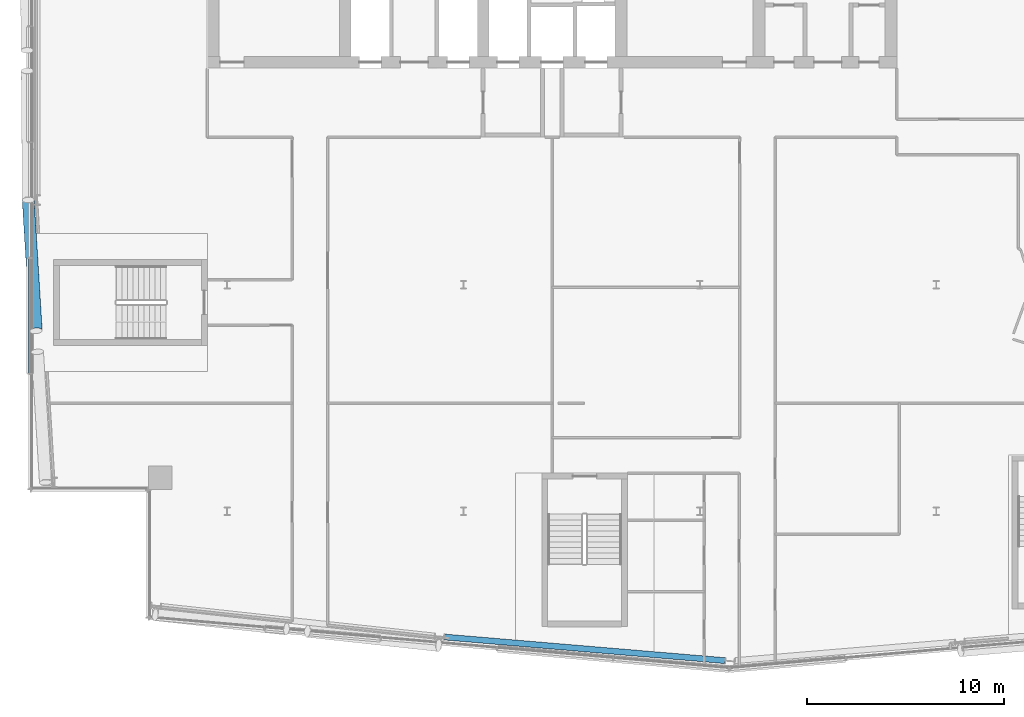
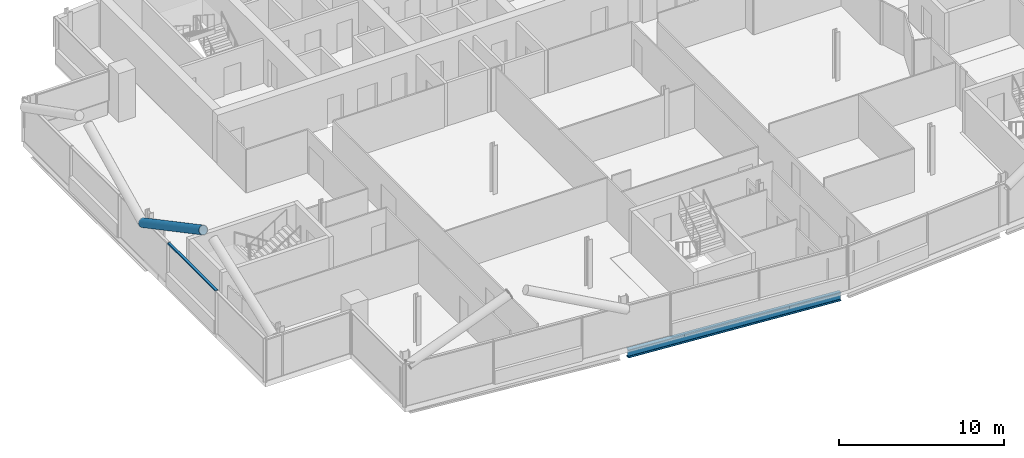
# One storey, part 6 of 28: 2 members, 1 beam, 1 element without a shape of its own.
"""IFC4 building model written with IfcOpenShell, lengths in metres."""

import ifcopenshell
import ifcopenshell.guid

model = None  # the IFC model being written
_history = None  # IfcOwnerHistory: only IFC2X3 demands one
_inside = {}  # id of a spatial element -> (the spatial element, [elements in it])
_under = {}  # id of a project, library or spatial element -> (it, [spatial elements below it])
_declared = {}  # id of a project -> (the project, [libraries it declares])
_typed = {}  # id of a type object -> (the type object, [elements of that type])
_made_of = {}  # id of a material, layer set ... -> (it, [elements and type objects made of it])


def new_model(schema):
    """Start an empty IFC model of exactly this schema.

    Asked for "IFC4X3", IfcOpenShell would pick the latest addendum, in which some entities
    have other attributes; the version numbers below select the first issue.
    IFC2X3 requires an IfcOwnerHistory on every rooted entity: one is made here for all.
    """
    global model, _history
    if schema == "IFC4X3":
        model = ifcopenshell.file(schema_version=(4, 3, 0, 0))
    else:
        model = ifcopenshell.file(schema=schema)
    _inside.clear()
    _under.clear()
    _declared.clear()
    _typed.clear()
    _made_of.clear()
    _history = None
    if model.schema == "IFC2X3":
        org = make("IfcOrganization", Name="unknown")
        user = make(
            "IfcPersonAndOrganization",
            ThePerson=make("IfcPerson", FamilyName="unknown"),
            TheOrganization=org,
        )
        app = make(
            "IfcApplication",
            ApplicationDeveloper=org,
            Version="unknown",
            ApplicationFullName="unknown",
            ApplicationIdentifier="unknown",
        )
        _history = make(
            "IfcOwnerHistory",
            OwningUser=user,
            OwningApplication=app,
            ChangeAction="ADDED",
            CreationDate=0,
        )
    return model


def make(cls, **values):
    """One entity of the class cls with the attributes given. An attribute that is None is left unset."""
    return model.create_entity(
        cls, **{name: value for name, value in values.items() if value is not None}
    )


def rooted(cls, **values):
    """An entity with a GlobalId (a new one), such as an element, a storey or a relation."""
    return make(cls, GlobalId=ifcopenshell.guid.new(), OwnerHistory=_history, **values)


def si_unit(unit_type, name, prefix=None):
    """IfcSIUnit, for example si_unit("LENGTHUNIT", "METRE", prefix="MILLI")."""
    return make("IfcSIUnit", UnitType=unit_type, Prefix=prefix, Name=name)


def assignment(units):
    """IfcUnitAssignment: the units of a project."""
    return None if units is None else make("IfcUnitAssignment", Units=units)


def point(xyz):
    """IfcCartesianPoint."""
    return None if xyz is None else make("IfcCartesianPoint", Coordinates=xyz)


def direction(xyz):
    """IfcDirection."""
    return None if xyz is None else make("IfcDirection", DirectionRatios=xyz)


def frame(location, z_axis=None, x_axis=None):
    """IfcAxis2Placement3D, a coordinate frame: its origin and axes. An axis left out is left unset."""
    return make(
        "IfcAxis2Placement3D",
        Location=point(location),
        Axis=direction(z_axis),
        RefDirection=direction(x_axis),
    )


def frame_2d(location, x_axis=None):
    """IfcAxis2Placement2D, a coordinate frame in the plane: its origin and x axis."""
    return make(
        "IfcAxis2Placement2D", Location=point(location), RefDirection=direction(x_axis)
    )


def origin():
    """The frame at (0, 0, 0) with its axes left unset."""
    return frame((0.0, 0.0, 0.0))


def origin_2d():
    """The frame at (0, 0) in the plane with its x axis left unset."""
    return frame_2d((0.0, 0.0))


def place(relative_to, where):
    """IfcLocalPlacement: puts the frame where relative to a parent placement (None: the world)."""
    return make(
        "IfcLocalPlacement", PlacementRelTo=relative_to, RelativePlacement=where
    )


def context(
    kind, dimensions, precision=None, world=None, true_north=None, identifier=None
):
    """IfcGeometricRepresentationContext, for example the 3D "Model" context."""
    return make(
        "IfcGeometricRepresentationContext",
        ContextIdentifier=identifier,
        ContextType=kind,
        CoordinateSpaceDimension=dimensions,
        Precision=precision,
        WorldCoordinateSystem=world,
        TrueNorth=true_north,
    )


def subcontext(parent, identifier, kind, view, scale=None):
    """IfcGeometricRepresentationSubContext, for example "Body" below "Model"."""
    return make(
        "IfcGeometricRepresentationSubContext",
        ContextIdentifier=identifier,
        ContextType=kind,
        ParentContext=parent,
        TargetScale=scale,
        TargetView=view,
    )


def project(units=None, contexts=None):
    """IfcProject with its units and contexts."""
    return rooted(
        "IfcProject",
        Name="project",
        RepresentationContexts=contexts,
        UnitsInContext=assignment(units),
    )


def spatial(cls, under=None, at=None, **own):
    """A site, building, storey or space (cls), placed at a placement, below another one or the project."""
    s = rooted(cls, ObjectPlacement=at, **own)
    if under is not None:
        _under.setdefault(under.id(), (under, []))[1].append(s)
    return s


def profile(cls, at=None, kind="AREA", **sizes):
    """A parametric profile (cls). Its sizes go by their IFC names, for example OverallWidth=200.0."""
    return make(cls, ProfileType=kind, Position=at, **sizes)


def rectangle(**sizes):
    """IfcRectangleProfileDef."""
    return profile("IfcRectangleProfileDef", **sizes)


def hollow_circle(**sizes):
    """IfcCircleHollowProfileDef."""
    return profile("IfcCircleHollowProfileDef", **sizes)


def i_section(**sizes):
    """IfcIShapeProfileDef."""
    return profile("IfcIShapeProfileDef", **sizes)


def extrude(swept, where, along, depth):
    """IfcExtrudedAreaSolid: the profile swept, set in the frame where, extruded along a direction by depth."""
    return make(
        "IfcExtrudedAreaSolid",
        SweptArea=swept,
        Position=where,
        ExtrudedDirection=direction(along),
        Depth=depth,
    )


def shape(context_of_items, identifier, shape_type, items):
    """IfcShapeRepresentation: the items that make up one representation, for example the "Body"."""
    return make(
        "IfcShapeRepresentation",
        ContextOfItems=context_of_items,
        RepresentationIdentifier=identifier,
        RepresentationType=shape_type,
        Items=items,
    )


def material(Name=None, Category=None):
    """IfcMaterial."""
    return make("IfcMaterial", Name=Name, Category=Category)


def material_profile(
    of_material, cross_section, Name=None, Category=None, Priority=None
):
    """IfcMaterialProfile: a cross section and its material."""
    return make(
        "IfcMaterialProfile",
        Name=Name,
        Material=of_material,
        Profile=cross_section,
        Priority=Priority,
        Category=Category,
    )


def profile_set(profiles, Name=None, composite=None):
    """IfcMaterialProfileSet."""
    return make(
        "IfcMaterialProfileSet",
        Name=Name,
        MaterialProfiles=profiles,
        CompositeProfile=composite,
    )


def made_of(thing, what):
    """Note that an element or type object is made of a material, layer set ...; save() writes the relation."""
    if what is not None:
        _made_of.setdefault(what.id(), (what, []))[1].append(thing)
    return thing


def type_object(cls, material=None, **own):
    """A type object (cls), such as IfcWallType, which elements share."""
    return made_of(rooted(cls, **own), material)


def element(
    cls,
    number,
    at=None,
    inside=None,
    cuts=None,
    type_object=None,
    material=None,
    context=None,
    identifier="Body",
    shape_type=None,
    held_by="IfcProductDefinitionShape",
    body=None,
    shapes=None,
    **own,
):
    """One element of the class cls, such as IfcWall. Its Tag is "e" and its number.

    at: its placement. inside: the storey or other place that contains it. cuts: it is an
    opening in that element (IfcRelVoidsElement). A single representation is given by context,
    identifier, shape_type and body (its items); several are given by shapes. held_by: the class
    of the entity that holds the representations. save() writes the other relations.
    """
    e = rooted(cls, Tag="e%d" % number, ObjectPlacement=at, **own)
    if body is not None:
        shapes = [shape(context, identifier, shape_type, body)]
    if shapes is not None:
        e.Representation = make(held_by, Representations=shapes)
    if inside is not None:
        _inside.setdefault(inside.id(), (inside, []))[1].append(e)
    if cuts is not None:
        rooted(
            "IfcRelVoidsElement", RelatingBuildingElement=cuts, RelatedOpeningElement=e
        )
    if type_object is not None:
        _typed.setdefault(type_object.id(), (type_object, []))[1].append(e)
    return made_of(e, material)


def aggregate(whole, parts):
    """IfcRelAggregates: a whole, such as a stair, and the parts it consists of."""
    return rooted("IfcRelAggregates", RelatingObject=whole, RelatedObjects=parts)


def save(model, path):
    """Write the relations noted so far, then the file.

    IfcRelAggregates (storeys below a building ...), IfcRelContainedInSpatialStructure (elements
    in a storey), IfcRelDefinesByType, IfcRelAssociatesMaterial and IfcRelDeclares: one each for
    every whole, place, type object, material and project.
    """
    for whole, parts in _under.values():
        aggregate(whole, parts)
    for where, things in _inside.values():
        rooted(
            "IfcRelContainedInSpatialStructure",
            RelatedElements=things,
            RelatingStructure=where,
        )
    for kind, things in _typed.values():
        rooted("IfcRelDefinesByType", RelatedObjects=things, RelatingType=kind)
    for what, things in _made_of.values():
        rooted("IfcRelAssociatesMaterial", RelatedObjects=things, RelatingMaterial=what)
    for by, libraries in _declared.values():
        rooted("IfcRelDeclares", RelatingContext=by, RelatedDefinitions=libraries)
    model.write(path)


model = new_model("IFC4")

# Units and contexts
model_context = context("Model", 3, precision=1e-05, world=origin(), true_north=direction((0.0, 1.0)))
body_context = subcontext(model_context, "Body", "Model", "MODEL_VIEW")
ifc_project = project(units=[si_unit("LENGTHUNIT", "METRE"), si_unit("AREAUNIT", "SQUARE_METRE"), si_unit("VOLUMEUNIT", "CUBIC_METRE"), si_unit("PLANEANGLEUNIT", "RADIAN"), si_unit("MASSUNIT", "GRAM", prefix="KILO")], contexts=[model_context])

# Site, building, storey
site_placement = place(None, origin())
site = spatial("IfcSite", under=ifc_project, at=site_placement, CompositionType="ELEMENT")
building_placement = place(site_placement, origin())
building = spatial("IfcBuilding", under=site, at=building_placement, Name="Wharfspan Tower", CompositionType="ELEMENT")
storey_placement = place(building_placement, frame((0.0, 0.0, 250.300049)))
storey = spatial("IfcBuildingStorey", under=building, at=storey_placement, Name="L63", CompositionType="ELEMENT", Elevation=250.300049)

# Beam
ifc_material_1 = material(Name="Steel S355J2", Category="steel")
ifc_material_profile_1 = material_profile(ifc_material_1, i_section(OverallWidth=0.300049, OverallDepth=0.600098, WebThickness=0.015381, FlangeThickness=0.030029, FilletRadius=0.0271, at=origin_2d()))
ifc_profile_set_1 = profile_set([ifc_material_profile_1], Name="Steel S355J2")
beam_type = type_object("IfcBeamType", Name="Edge beam HEB 600", PredefinedType="SPANDREL", material=ifc_profile_set_1)
beam_placement = place(storey_placement, frame((35.038574, 5.121582, -0.699951), z_axis=(0.996473, -0.083909, 0.0), x_axis=(0.083909, 0.996473, 0.0)))
element("IfcBeam", 1, at=beam_placement, inside=storey, type_object=beam_type, Name="Edge beam S1 L63 PS1.2 to PS1.3", PredefinedType="SPANDREL", context=body_context, shape_type="SweptSolid", body=[
    extrude(i_section(OverallWidth=0.300049, OverallDepth=0.600098, WebThickness=0.015381, FlangeThickness=0.030029, FilletRadius=0.0271, at=origin_2d()), origin(), (0.0, 0.0, 1.0), 14.277344),
])

# Member
ifc_material_2 = material(Name="Steel S460NH", Category="steel")
ifc_material_profile_2 = material_profile(ifc_material_2, hollow_circle(Radius=0.304932, WallThickness=0.024902, at=origin_2d()))
ifc_profile_set_2 = profile_set([ifc_material_profile_2], Name="Steel S460NH")
member_type_1 = type_object("IfcMemberType", Name="Mega brace CHS 610x25", PredefinedType="BRACE", material=ifc_profile_set_2)
member_1_placement = place(storey_placement, frame((13.905029, 27.300049, 2.899902), z_axis=(0.054615, -0.892302, 0.448123), x_axis=(0.998132, 0.061091, -3e-06)))
element("IfcMember", 2, at=member_1_placement, inside=storey, type_object=member_type_1, Name="Mega brace W4 L64 part 1", PredefinedType="BRACE", context=body_context, shape_type="SweptSolid", body=[
    extrude(hollow_circle(Radius=0.304932, WallThickness=0.024902, at=origin_2d()), origin(), (0.0, 0.0, 1.0), 7.429443),
])

# Curtain wall, member
ifc_material_3 = material(Name="Aluminium 6063-T6", Category="aluminium")
curtain_wall_type = type_object("IfcCurtainWallType", Name="CURTAIN WALL PROW AND END", PredefinedType="NOTDEFINED", material=ifc_material_3)
curtain_wall_placement = place(storey_placement, origin())
curtain_wall = element("IfcCurtainWall", 3, at=curtain_wall_placement, inside=storey, type_object=curtain_wall_type, Name="Curtain wall W", PredefinedType="NOTDEFINED")
ifc_material_profile_3 = material_profile(ifc_material_3, rectangle(XDim=0.179932, YDim=0.080078, at=origin_2d()))
ifc_profile_set_3 = profile_set([ifc_material_profile_3], Name="Aluminium 6063-T6")
member_type_2 = type_object("IfcMemberType", Name="TRANSOM PROW AND END 80x180", PredefinedType="USERDEFINED", material=ifc_profile_set_3)
member_2_placement = place(storey_placement, frame((14.0, 24.330078, 3.159912), z_axis=(0.0, -1.0, 0.0), x_axis=(1.0, 0.0, 0.0)))
member_2 = element("IfcMember", 4, at=member_2_placement, type_object=member_type_2, Name="Curtain wall W transom 4", ObjectType="TRANSOM", PredefinedType="USERDEFINED", context=body_context, shape_type="SweptSolid", body=[
    extrude(rectangle(XDim=0.179932, YDim=0.080078, at=origin_2d()), origin(), (0.0, 0.0, 1.0), 5.820068),
])
aggregate(curtain_wall, [member_2])

save(model, "model.ifc")
